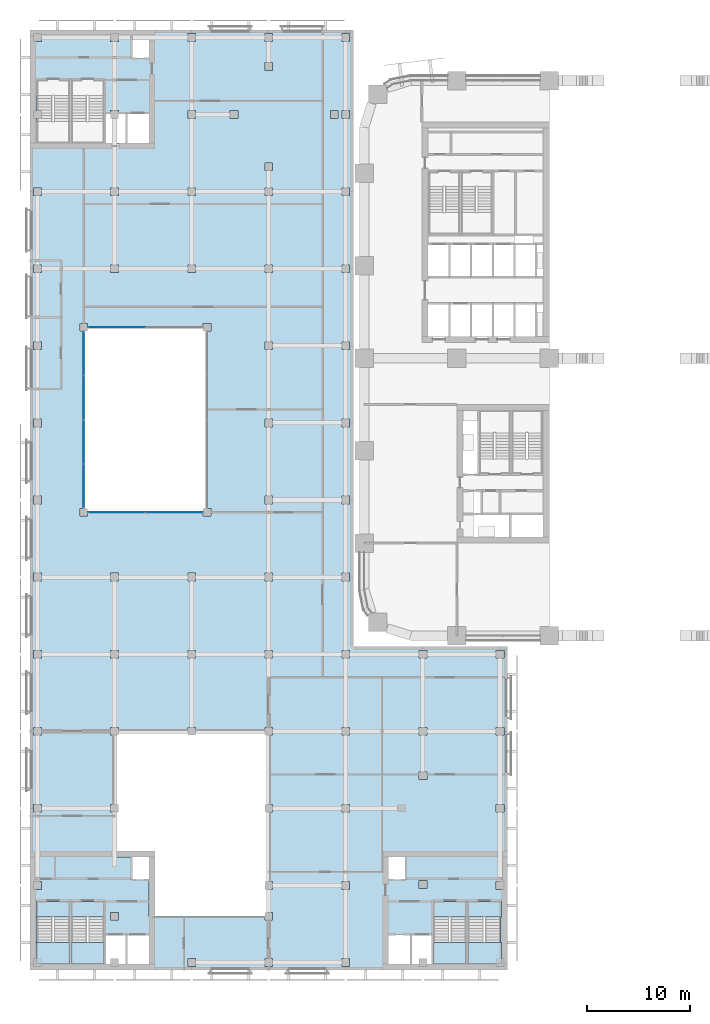
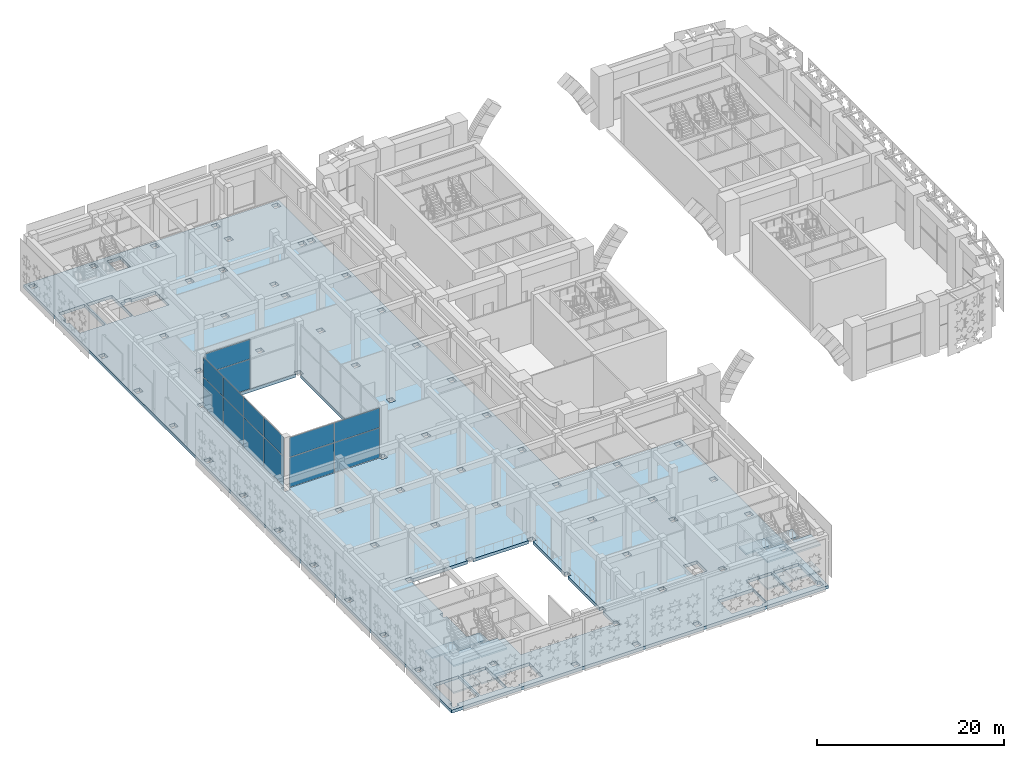
# One storey, part 10 of 42: 14 plates, 13 slabs, 7 elements without a shape of their own.
"""IFC4 building model written with IfcOpenShell, lengths in metres."""

from ifc_helpers import new_model, si_unit, direction, frame, origin, origin_2d, place, context, subcontext, project, spatial, polyline, rectangle, outline, extrude, material, layer, layer_set, type_object, element, aggregate, save


model = new_model("IFC4")

# Units and contexts
model_context = context("Model", 3, precision=1e-05, world=origin(), true_north=direction((0.0, 1.0)))
body_context = subcontext(model_context, "Body", "Model", "MODEL_VIEW")
ifc_project = project(units=[si_unit("LENGTHUNIT", "METRE"), si_unit("AREAUNIT", "SQUARE_METRE"), si_unit("VOLUMEUNIT", "CUBIC_METRE"), si_unit("PLANEANGLEUNIT", "RADIAN"), si_unit("MASSUNIT", "GRAM", prefix="KILO")], contexts=[model_context])

# Site, building, storey
site_placement = place(None, origin())
site = spatial("IfcSite", under=ifc_project, at=site_placement, CompositionType="ELEMENT")
building_placement = place(site_placement, origin())
building = spatial("IfcBuilding", under=site, at=building_placement, Name="Tessera Arch", CompositionType="ELEMENT")
storey_placement = place(building_placement, frame((0.0, 0.0, 14.0)))
storey = spatial("IfcBuildingStorey", under=building, at=storey_placement, Name="L02", CompositionType="ELEMENT", Elevation=14.0)

# Curtain wall, plates
ifc_material_1 = material(Name="Aluminium and clear glass", Category="aluminium")
ifc_layer_1 = layer(ifc_material_1, 0.1201171875)
ifc_layer_set_1 = layer_set([ifc_layer_1], Name="Courtyard curtain wall")
curtain_wall_type = type_object("IfcCurtainWallType", Name="Courtyard curtain wall", PredefinedType="NOTDEFINED", material=ifc_layer_set_1)
curtain_wall_1_placement = place(storey_placement, origin())
curtain_wall_1 = element("IfcCurtainWall", 1, at=curtain_wall_1_placement, inside=storey, type_object=curtain_wall_type, Name="Courtyard curtain wall L02 1", PredefinedType="NOTDEFINED")
ifc_material_2 = material(Name="Clear low-e laminated glass", Category="glass")
ifc_layer_2 = layer(ifc_material_2, 0.028076171875)
ifc_layer_set_2 = layer_set([ifc_layer_2], Name="Courtyard glass panel")
plate_type = type_object("IfcPlateType", Name="Courtyard glass panel", PredefinedType="CURTAIN_PANEL", material=ifc_layer_set_2)
plate_1_placement = place(storey_placement, frame((-24.097412109375, 12.0, 0.06005859375), z_axis=(0.0, 0.0, 1.0), x_axis=(1.0, 0.0, 0.0)))
plate_1 = element("IfcPlate", 2, at=plate_1_placement, type_object=plate_type, Name="MCW1 panel 1.1", PredefinedType="CURTAIN_PANEL", context=body_context, shape_type="SweptSolid", body=[
    extrude(rectangle(XDim=5.534912109375, YDim=0.028076171875, at=origin_2d()), origin(), (0.0, 0.0, 1.0), 3.864013671875),
])
plate_2_placement = place(storey_placement, frame((-24.097412109375, 12.0, 3.984130859375), z_axis=(0.0, 0.0, 1.0), x_axis=(1.0, 0.0, 0.0)))
plate_2 = element("IfcPlate", 3, at=plate_2_placement, type_object=plate_type, Name="MCW1 panel 1.2", PredefinedType="CURTAIN_PANEL", context=body_context, shape_type="SweptSolid", body=[
    extrude(rectangle(XDim=5.534912109375, YDim=0.028076171875, at=origin_2d()), origin(), (0.0, 0.0, 1.0), 2.5458984375),
])
plate_3_placement = place(storey_placement, frame((-18.50244140625, 12.0, 0.06005859375), z_axis=(0.0, 0.0, 1.0), x_axis=(1.0, 0.0, 0.0)))
plate_3 = element("IfcPlate", 4, at=plate_3_placement, type_object=plate_type, Name="MCW1 panel 2.1", PredefinedType="CURTAIN_PANEL", context=body_context, shape_type="SweptSolid", body=[
    extrude(rectangle(XDim=5.534912109375, YDim=0.028076171875, at=origin_2d()), origin(), (0.0, 0.0, 1.0), 3.864013671875),
])
plate_4_placement = place(storey_placement, frame((-18.50244140625, 12.0, 3.984130859375), z_axis=(0.0, 0.0, 1.0), x_axis=(1.0, 0.0, 0.0)))
plate_4 = element("IfcPlate", 5, at=plate_4_placement, type_object=plate_type, Name="MCW1 panel 2.2", PredefinedType="CURTAIN_PANEL", context=body_context, shape_type="SweptSolid", body=[
    extrude(rectangle(XDim=5.534912109375, YDim=0.028076171875, at=origin_2d()), origin(), (0.0, 0.0, 1.0), 2.5458984375),
])
aggregate(curtain_wall_1, [plate_1, plate_2, plate_3, plate_4])

curtain_wall_2_placement = place(storey_placement, origin())
curtain_wall_2 = element("IfcCurtainWall", 6, at=curtain_wall_2_placement, inside=storey, type_object=curtain_wall_type, Name="Courtyard curtain wall L02 3", PredefinedType="NOTDEFINED")
plate_5_placement = place(storey_placement, frame((-24.097412109375, 30.0, 0.06005859375), z_axis=(0.0, 0.0, 1.0), x_axis=(-1.0, 0.0, 0.0)))
plate_5 = element("IfcPlate", 7, at=plate_5_placement, type_object=plate_type, Name="MCW1 panel 2.1", PredefinedType="CURTAIN_PANEL", context=body_context, shape_type="SweptSolid", body=[
    extrude(rectangle(XDim=5.534912109375, YDim=0.028076171875, at=origin_2d()), origin(), (0.0, 0.0, 1.0), 3.864013671875),
])
plate_6_placement = place(storey_placement, frame((-24.097412109375, 30.0, 3.984130859375), z_axis=(0.0, 0.0, 1.0), x_axis=(-1.0, 0.0, 0.0)))
plate_6 = element("IfcPlate", 8, at=plate_6_placement, type_object=plate_type, Name="MCW1 panel 2.2", PredefinedType="CURTAIN_PANEL", context=body_context, shape_type="SweptSolid", body=[
    extrude(rectangle(XDim=5.534912109375, YDim=0.028076171875, at=origin_2d()), origin(), (0.0, 0.0, 1.0), 2.5458984375),
])
aggregate(curtain_wall_2, [plate_5, plate_6])

curtain_wall_3_placement = place(storey_placement, origin())
curtain_wall_3 = element("IfcCurtainWall", 9, at=curtain_wall_3_placement, inside=storey, type_object=curtain_wall_type, Name="Courtyard curtain wall L02 4", PredefinedType="NOTDEFINED")
plate_7_placement = place(storey_placement, frame((-27.300048828125, 27.453857421875, 0.06005859375), z_axis=(0.0, 0.0, 1.0), x_axis=(0.0, -1.0, 0.0)))
plate_7 = element("IfcPlate", 10, at=plate_7_placement, type_object=plate_type, Name="MCW1 panel 1.1", PredefinedType="CURTAIN_PANEL", context=body_context, shape_type="SweptSolid", body=[
    extrude(rectangle(XDim=4.222412109375, YDim=0.028076171875, at=origin_2d()), origin(), (0.0, 0.0, 1.0), 3.864013671875),
])
plate_8_placement = place(storey_placement, frame((-27.300048828125, 27.453857421875, 3.984130859375), z_axis=(0.0, 0.0, 1.0), x_axis=(0.0, -1.0, 0.0)))
plate_8 = element("IfcPlate", 11, at=plate_8_placement, type_object=plate_type, Name="MCW1 panel 1.2", PredefinedType="CURTAIN_PANEL", context=body_context, shape_type="SweptSolid", body=[
    extrude(rectangle(XDim=4.222412109375, YDim=0.028076171875, at=origin_2d()), origin(), (0.0, 0.0, 1.0), 2.5458984375),
])
plate_9_placement = place(storey_placement, frame((-27.300048828125, 23.15625, 0.06005859375), z_axis=(0.0, 0.0, 1.0), x_axis=(0.0, -1.0, 0.0)))
plate_9 = element("IfcPlate", 12, at=plate_9_placement, type_object=plate_type, Name="MCW1 panel 2.1", PredefinedType="CURTAIN_PANEL", context=body_context, shape_type="SweptSolid", body=[
    extrude(rectangle(XDim=4.25244140625, YDim=0.028076171875, at=origin_2d()), origin(), (0.0, 0.0, 1.0), 3.864013671875),
])
plate_10_placement = place(storey_placement, frame((-27.300048828125, 23.15625, 3.984130859375), z_axis=(0.0, 0.0, 1.0), x_axis=(0.0, -1.0, 0.0)))
plate_10 = element("IfcPlate", 13, at=plate_10_placement, type_object=plate_type, Name="MCW1 panel 2.2", PredefinedType="CURTAIN_PANEL", context=body_context, shape_type="SweptSolid", body=[
    extrude(rectangle(XDim=4.25244140625, YDim=0.028076171875, at=origin_2d()), origin(), (0.0, 0.0, 1.0), 2.5458984375),
])
plate_11_placement = place(storey_placement, frame((-27.300048828125, 18.84375, 0.06005859375), z_axis=(0.0, 0.0, 1.0), x_axis=(0.0, -1.0, 0.0)))
plate_11 = element("IfcPlate", 14, at=plate_11_placement, type_object=plate_type, Name="MCW1 panel 3.1", PredefinedType="CURTAIN_PANEL", context=body_context, shape_type="SweptSolid", body=[
    extrude(rectangle(XDim=4.25244140625, YDim=0.028076171875, at=origin_2d()), origin(), (0.0, 0.0, 1.0), 3.864013671875),
])
plate_12_placement = place(storey_placement, frame((-27.300048828125, 18.84375, 3.984130859375), z_axis=(0.0, 0.0, 1.0), x_axis=(0.0, -1.0, 0.0)))
plate_12 = element("IfcPlate", 15, at=plate_12_placement, type_object=plate_type, Name="MCW1 panel 3.2", PredefinedType="CURTAIN_PANEL", context=body_context, shape_type="SweptSolid", body=[
    extrude(rectangle(XDim=4.25244140625, YDim=0.028076171875, at=origin_2d()), origin(), (0.0, 0.0, 1.0), 2.5458984375),
])
plate_13_placement = place(storey_placement, frame((-27.300048828125, 14.546142578125, 0.06005859375), z_axis=(0.0, 0.0, 1.0), x_axis=(0.0, -1.0, 0.0)))
plate_13 = element("IfcPlate", 16, at=plate_13_placement, type_object=plate_type, Name="MCW1 panel 4.1", PredefinedType="CURTAIN_PANEL", context=body_context, shape_type="SweptSolid", body=[
    extrude(rectangle(XDim=4.222412109375, YDim=0.028076171875, at=origin_2d()), origin(), (0.0, 0.0, 1.0), 3.864013671875),
])
plate_14_placement = place(storey_placement, frame((-27.300048828125, 14.546142578125, 3.984130859375), z_axis=(0.0, 0.0, 1.0), x_axis=(0.0, -1.0, 0.0)))
plate_14 = element("IfcPlate", 17, at=plate_14_placement, type_object=plate_type, Name="MCW1 panel 4.2", PredefinedType="CURTAIN_PANEL", context=body_context, shape_type="SweptSolid", body=[
    extrude(rectangle(XDim=4.222412109375, YDim=0.028076171875, at=origin_2d()), origin(), (0.0, 0.0, 1.0), 2.5458984375),
])
aggregate(curtain_wall_3, [plate_7, plate_8, plate_9, plate_10, plate_11, plate_12, plate_13, plate_14])

# Slab
ifc_material_3 = material(Name="Concrete C40/50", Category="concrete")
ifc_layer_3 = layer(ifc_material_3, 0.409912109375)
ifc_layer_set_3 = layer_set([ifc_layer_3], Name="Museum floor slab 410 Concrete C40/50")
slab_type_1 = type_object("IfcSlabType", Name="Museum floor slab 410 Concrete C40/50", PredefinedType="FLOOR", material=ifc_layer_set_3)
slab_1_placement = place(storey_placement, frame((0.0, 0.0, -0.409912109375)))
element("IfcSlab", 18, at=slab_1_placement, inside=storey, type_object=slab_type_1, Name="Museum floor slab L02 1", PredefinedType="FLOOR", context=body_context, shape_type="SweptSolid", body=[
    extrude(outline(polyline([(13.949951171875, -32.550048828125), (-32.550048828125, -32.550048828125), (-32.550048828125, 58.949951171875), (-1.050048828125, 58.949951171875), (-1.050048828125, -1.050048828125), (13.949951171875, -1.050048828125), (13.949951171875, -32.550048828125)]), holes=[polyline([(-15.675048828125, 11.625), (-14.925048828125, 11.625), (-14.925048828125, 12.375), (-15.300048828125, 12.375), (-15.300048828125, 29.625), (-14.925048828125, 29.625), (-14.925048828125, 30.375), (-15.675048828125, 30.375), (-15.675048828125, 30.0), (-26.925048828125, 30.0), (-26.925048828125, 30.375), (-27.675048828125, 30.375), (-27.675048828125, 29.625), (-27.300048828125, 29.625), (-27.300048828125, 12.375), (-27.675048828125, 12.375), (-27.675048828125, 11.625), (-26.925048828125, 11.625), (-26.925048828125, 12.0), (-15.675048828125, 12.0), (-15.675048828125, 11.625)]), polyline([(-24.675048828125, -16.425048828125), (-24.675048828125, -17.175048828125), (-24.300048828125, -17.175048828125), (-24.300048828125, -21.550048828125), (-22.64990234375, -21.550048828125), (-22.64990234375, -23.75), (-20.949951171875, -23.75), (-20.949951171875, -27.300048828125), (-9.675048828125, -27.300048828125), (-9.675048828125, -27.675048828125), (-8.925048828125, -27.675048828125), (-8.925048828125, -26.925048828125), (-9.300048828125, -26.925048828125), (-9.300048828125, -24.675048828125), (-8.925048828125, -24.675048828125), (-8.925048828125, -23.925048828125), (-9.300048828125, -23.925048828125), (-9.300048828125, -17.175048828125), (-8.925048828125, -17.175048828125), (-8.925048828125, -16.425048828125), (-9.300048828125, -16.425048828125), (-9.300048828125, -9.675048828125), (-8.925048828125, -9.675048828125), (-8.925048828125, -8.925048828125), (-9.675048828125, -8.925048828125), (-9.675048828125, -9.300048828125), (-16.425048828125, -9.300048828125), (-16.425048828125, -8.925048828125), (-17.175048828125, -8.925048828125), (-17.175048828125, -9.300048828125), (-23.925048828125, -9.300048828125), (-23.925048828125, -8.925048828125), (-24.675048828125, -8.925048828125), (-24.675048828125, -9.675048828125), (-24.300048828125, -9.675048828125), (-24.300048828125, -16.425048828125), (-24.675048828125, -16.425048828125)]), polyline([(-31.425048828125, -32.175048828125), (-31.425048828125, -31.75), (-28.699951171875, -31.75), (-28.699951171875, -27.360107421875), (-30.199951171875, -27.360107421875), (-30.199951171875, -27.35009765625), (-30.35009765625, -27.35009765625), (-30.35009765625, -27.360107421875), (-31.85009765625, -27.360107421875), (-31.85009765625, -31.425048828125), (-32.175048828125, -31.425048828125), (-32.175048828125, -32.175048828125), (-31.425048828125, -32.175048828125)]), polyline([(-23.925048828125, -32.175048828125), (-23.925048828125, -31.949951171875), (-23.14990234375, -31.949951171875), (-20.949951171875, -31.949951171875), (-20.949951171875, -29.050048828125), (-23.14990234375, -29.050048828125), (-25.25, -29.050048828125), (-25.25, -31.949951171875), (-24.675048828125, -31.949951171875), (-24.675048828125, -32.175048828125), (-23.925048828125, -32.175048828125)]), polyline([(-23.925048828125, -27.675048828125), (-23.925048828125, -26.925048828125), (-24.675048828125, -26.925048828125), (-24.675048828125, -27.675048828125), (-23.925048828125, -27.675048828125)]), polyline([(-31.425048828125, -24.675048828125), (-31.425048828125, -23.925048828125), (-32.175048828125, -23.925048828125), (-32.175048828125, -24.675048828125), (-31.425048828125, -24.675048828125)]), polyline([(-31.425048828125, -17.175048828125), (-31.425048828125, -16.425048828125), (-32.175048828125, -16.425048828125), (-32.175048828125, -17.175048828125), (-31.425048828125, -17.175048828125)]), polyline([(-31.425048828125, -9.675048828125), (-31.425048828125, -8.925048828125), (-32.175048828125, -8.925048828125), (-32.175048828125, -9.675048828125), (-31.425048828125, -9.675048828125)]), polyline([(-32.175048828125, -2.175048828125), (-31.425048828125, -2.175048828125), (-31.425048828125, -1.425048828125), (-32.175048828125, -1.425048828125), (-32.175048828125, -2.175048828125)]), polyline([(-23.925048828125, -2.175048828125), (-23.925048828125, -1.425048828125), (-24.675048828125, -1.425048828125), (-24.675048828125, -2.175048828125), (-23.925048828125, -2.175048828125)]), polyline([(-31.425048828125, 5.324951171875), (-31.425048828125, 6.074951171875), (-32.175048828125, 6.074951171875), (-32.175048828125, 5.324951171875), (-31.425048828125, 5.324951171875)]), polyline([(-23.925048828125, 5.324951171875), (-23.925048828125, 6.074951171875), (-24.675048828125, 6.074951171875), (-24.675048828125, 5.324951171875), (-23.925048828125, 5.324951171875)]), polyline([(-31.425048828125, 12.824951171875), (-31.425048828125, 13.574951171875), (-32.175048828125, 13.574951171875), (-32.175048828125, 12.824951171875), (-31.425048828125, 12.824951171875)]), polyline([(-31.425048828125, 20.324951171875), (-31.425048828125, 21.074951171875), (-32.175048828125, 21.074951171875), (-32.175048828125, 20.324951171875), (-31.425048828125, 20.324951171875)]), polyline([(-31.425048828125, 27.824951171875), (-31.425048828125, 28.574951171875), (-32.175048828125, 28.574951171875), (-32.175048828125, 27.824951171875), (-31.425048828125, 27.824951171875)]), polyline([(-24.675048828125, 35.324951171875), (-23.925048828125, 35.324951171875), (-23.925048828125, 36.074951171875), (-24.675048828125, 36.074951171875), (-24.675048828125, 35.324951171875)]), polyline([(-31.425048828125, 35.324951171875), (-31.425048828125, 36.074951171875), (-32.175048828125, 36.074951171875), (-32.175048828125, 35.324951171875), (-31.425048828125, 35.324951171875)]), polyline([(-23.925048828125, 42.824951171875), (-23.925048828125, 43.574951171875), (-24.675048828125, 43.574951171875), (-24.675048828125, 42.824951171875), (-23.925048828125, 42.824951171875)]), polyline([(-31.425048828125, 42.824951171875), (-31.425048828125, 43.574951171875), (-32.175048828125, 43.574951171875), (-32.175048828125, 42.824951171875), (-31.425048828125, 42.824951171875)]), polyline([(-31.85009765625, 50.324951171875), (-31.85009765625, 48.14990234375), (-28.699951171875, 48.14990234375), (-28.699951171875, 52.5400390625), (-30.199951171875, 52.5400390625), (-30.199951171875, 52.550048828125), (-30.35009765625, 52.550048828125), (-30.35009765625, 52.5400390625), (-31.85009765625, 52.5400390625), (-31.85009765625, 51.074951171875), (-32.175048828125, 51.074951171875), (-32.175048828125, 50.324951171875), (-31.85009765625, 50.324951171875)]), polyline([(-23.925048828125, 51.074951171875), (-24.675048828125, 51.074951171875), (-24.675048828125, 50.85009765625), (-25.25, 50.85009765625), (-25.25, 47.949951171875), (-23.14990234375, 47.949951171875), (-20.949951171875, 47.949951171875), (-20.949951171875, 50.85009765625), (-23.14990234375, 50.85009765625), (-23.925048828125, 50.85009765625), (-23.925048828125, 51.074951171875)]), polyline([(-23.925048828125, 57.824951171875), (-23.925048828125, 58.574951171875), (-24.675048828125, 58.574951171875), (-24.675048828125, 57.824951171875), (-23.925048828125, 57.824951171875)]), polyline([(-31.425048828125, 57.824951171875), (-31.425048828125, 58.574951171875), (-32.175048828125, 58.574951171875), (-32.175048828125, 57.824951171875), (-31.425048828125, 57.824951171875)]), polyline([(-17.175048828125, -32.175048828125), (-16.425048828125, -32.175048828125), (-16.425048828125, -31.425048828125), (-17.175048828125, -31.425048828125), (-17.175048828125, -32.175048828125)]), polyline([(-9.675048828125, -32.175048828125), (-8.925048828125, -32.175048828125), (-8.925048828125, -31.425048828125), (-9.675048828125, -31.425048828125), (-9.675048828125, -32.175048828125)]), polyline([(-8.925048828125, -2.175048828125), (-8.925048828125, -1.425048828125), (-9.675048828125, -1.425048828125), (-9.675048828125, -2.175048828125), (-8.925048828125, -2.175048828125)]), polyline([(-16.425048828125, -2.175048828125), (-16.425048828125, -1.425048828125), (-17.175048828125, -1.425048828125), (-17.175048828125, -2.175048828125), (-16.425048828125, -2.175048828125)]), polyline([(-8.925048828125, 5.324951171875), (-8.925048828125, 6.074951171875), (-9.675048828125, 6.074951171875), (-9.675048828125, 5.324951171875), (-8.925048828125, 5.324951171875)]), polyline([(-17.175048828125, 5.324951171875), (-16.425048828125, 5.324951171875), (-16.425048828125, 6.074951171875), (-17.175048828125, 6.074951171875), (-17.175048828125, 5.324951171875)]), polyline([(-8.925048828125, 12.824951171875), (-8.925048828125, 13.574951171875), (-9.675048828125, 13.574951171875), (-9.675048828125, 12.824951171875), (-8.925048828125, 12.824951171875)]), polyline([(-8.925048828125, 20.324951171875), (-8.925048828125, 21.074951171875), (-9.675048828125, 21.074951171875), (-9.675048828125, 20.324951171875), (-8.925048828125, 20.324951171875)]), polyline([(-8.925048828125, 27.824951171875), (-8.925048828125, 28.574951171875), (-9.675048828125, 28.574951171875), (-9.675048828125, 27.824951171875), (-8.925048828125, 27.824951171875)]), polyline([(-16.425048828125, 35.324951171875), (-16.425048828125, 36.074951171875), (-17.175048828125, 36.074951171875), (-17.175048828125, 35.324951171875), (-16.425048828125, 35.324951171875)]), polyline([(-8.925048828125, 42.824951171875), (-8.925048828125, 43.574951171875), (-9.675048828125, 43.574951171875), (-9.675048828125, 42.824951171875), (-8.925048828125, 42.824951171875)]), polyline([(-16.425048828125, 42.824951171875), (-16.425048828125, 43.574951171875), (-17.175048828125, 43.574951171875), (-17.175048828125, 42.824951171875), (-16.425048828125, 42.824951171875)]), polyline([(-9.675048828125, 45.25), (-8.925048828125, 45.25), (-8.925048828125, 46.0), (-9.675048828125, 46.0), (-9.675048828125, 45.25)]), polyline([(-17.175048828125, 50.324951171875), (-16.425048828125, 50.324951171875), (-16.425048828125, 51.074951171875), (-17.175048828125, 51.074951171875), (-17.175048828125, 50.324951171875)]), polyline([(-12.300048828125, 50.324951171875), (-12.300048828125, 51.074951171875), (-13.050048828125, 51.074951171875), (-13.050048828125, 50.324951171875), (-12.300048828125, 50.324951171875)]), polyline([(-8.925048828125, 55.0), (-8.925048828125, 55.75), (-9.675048828125, 55.75), (-9.675048828125, 55.0), (-8.925048828125, 55.0)]), polyline([(-8.925048828125, 57.824951171875), (-8.925048828125, 58.574951171875), (-9.675048828125, 58.574951171875), (-9.675048828125, 57.824951171875), (-8.925048828125, 57.824951171875)]), polyline([(-17.175048828125, 57.824951171875), (-16.425048828125, 57.824951171875), (-16.425048828125, 58.574951171875), (-17.175048828125, 58.574951171875), (-17.175048828125, 57.824951171875)]), polyline([(-2.175048828125, -32.175048828125), (-1.425048828125, -32.175048828125), (-1.425048828125, -31.425048828125), (-2.175048828125, -31.425048828125), (-2.175048828125, -32.175048828125)]), polyline([(6.074951171875, -32.175048828125), (6.074951171875, -31.949951171875), (6.64990234375, -31.949951171875), (6.64990234375, -29.050048828125), (4.550048828125, -29.050048828125), (2.35009765625, -29.050048828125), (2.35009765625, -31.949951171875), (4.550048828125, -31.949951171875), (5.324951171875, -31.949951171875), (5.324951171875, -32.175048828125), (6.074951171875, -32.175048828125)]), polyline([(13.574951171875, -32.175048828125), (13.574951171875, -31.425048828125), (13.25, -31.425048828125), (13.25, -27.360107421875), (11.75, -27.360107421875), (11.75, -27.35009765625), (11.60009765625, -27.35009765625), (11.60009765625, -27.360107421875), (10.10009765625, -27.360107421875), (10.10009765625, -31.75), (12.824951171875, -31.75), (12.824951171875, -32.175048828125), (13.574951171875, -32.175048828125)]), polyline([(13.574951171875, -24.675048828125), (13.574951171875, -23.925048828125), (12.824951171875, -23.925048828125), (12.824951171875, -24.675048828125), (13.574951171875, -24.675048828125)]), polyline([(-2.175048828125, -24.675048828125), (-1.425048828125, -24.675048828125), (-1.425048828125, -23.925048828125), (-2.175048828125, -23.925048828125), (-2.175048828125, -24.675048828125)]), polyline([(5.324951171875, -24.574951171875), (6.074951171875, -24.574951171875), (6.074951171875, -23.824951171875), (5.324951171875, -23.824951171875), (5.324951171875, -24.574951171875)]), polyline([(-1.425048828125, -17.175048828125), (-1.425048828125, -16.425048828125), (-2.175048828125, -16.425048828125), (-2.175048828125, -17.175048828125), (-1.425048828125, -17.175048828125)]), polyline([(13.574951171875, -17.175048828125), (13.574951171875, -16.425048828125), (12.824951171875, -16.425048828125), (12.824951171875, -17.175048828125), (13.574951171875, -17.175048828125)]), polyline([(6.074951171875, -14.0), (6.074951171875, -13.25), (5.324951171875, -13.25), (5.324951171875, -14.0), (6.074951171875, -14.0)]), polyline([(13.574951171875, -9.675048828125), (13.574951171875, -8.925048828125), (12.824951171875, -8.925048828125), (12.824951171875, -9.675048828125), (13.574951171875, -9.675048828125)]), polyline([(-1.425048828125, -9.675048828125), (-1.425048828125, -8.925048828125), (-2.175048828125, -8.925048828125), (-2.175048828125, -9.675048828125), (-1.425048828125, -9.675048828125)]), polyline([(6.074951171875, -9.675048828125), (6.074951171875, -8.925048828125), (5.324951171875, -8.925048828125), (5.324951171875, -9.675048828125), (6.074951171875, -9.675048828125)]), polyline([(13.574951171875, -2.175048828125), (13.574951171875, -1.425048828125), (12.824951171875, -1.425048828125), (12.824951171875, -2.175048828125), (13.574951171875, -2.175048828125)]), polyline([(-2.175048828125, -2.175048828125), (-1.425048828125, -2.175048828125), (-1.425048828125, -1.425048828125), (-2.175048828125, -1.425048828125), (-2.175048828125, -2.175048828125)]), polyline([(5.324951171875, -2.175048828125), (6.074951171875, -2.175048828125), (6.074951171875, -1.425048828125), (5.324951171875, -1.425048828125), (5.324951171875, -2.175048828125)]), polyline([(-1.425048828125, 5.324951171875), (-1.425048828125, 6.074951171875), (-2.175048828125, 6.074951171875), (-2.175048828125, 5.324951171875), (-1.425048828125, 5.324951171875)]), polyline([(-1.425048828125, 12.824951171875), (-1.425048828125, 13.574951171875), (-2.175048828125, 13.574951171875), (-2.175048828125, 12.824951171875), (-1.425048828125, 12.824951171875)]), polyline([(-1.425048828125, 20.324951171875), (-1.425048828125, 21.074951171875), (-2.175048828125, 21.074951171875), (-2.175048828125, 20.324951171875), (-1.425048828125, 20.324951171875)]), polyline([(-2.175048828125, 27.824951171875), (-1.425048828125, 27.824951171875), (-1.425048828125, 28.574951171875), (-2.175048828125, 28.574951171875), (-2.175048828125, 27.824951171875)]), polyline([(-2.175048828125, 35.324951171875), (-1.425048828125, 35.324951171875), (-1.425048828125, 36.074951171875), (-2.175048828125, 36.074951171875), (-2.175048828125, 35.324951171875)]), polyline([(-8.925048828125, 35.324951171875), (-8.925048828125, 36.074951171875), (-9.675048828125, 36.074951171875), (-9.675048828125, 35.324951171875), (-8.925048828125, 35.324951171875)]), polyline([(-1.425048828125, 42.824951171875), (-1.425048828125, 43.574951171875), (-2.175048828125, 43.574951171875), (-2.175048828125, 42.824951171875), (-1.425048828125, 42.824951171875)]), polyline([(-1.425048828125, 50.324951171875), (-1.425048828125, 51.074951171875), (-2.175048828125, 51.074951171875), (-2.175048828125, 50.324951171875), (-1.425048828125, 50.324951171875)]), polyline([(-3.300048828125, 50.324951171875), (-2.550048828125, 50.324951171875), (-2.550048828125, 51.074951171875), (-3.300048828125, 51.074951171875), (-3.300048828125, 50.324951171875)]), polyline([(-2.175048828125, 57.824951171875), (-1.425048828125, 57.824951171875), (-1.425048828125, 58.574951171875), (-2.175048828125, 58.574951171875), (-2.175048828125, 57.824951171875)]), polyline([(-27.0, -27.360107421875), (-28.5, -27.360107421875), (-28.5, -31.75), (-25.35009765625, -31.75), (-25.35009765625, -27.360107421875), (-26.85009765625, -27.360107421875), (-26.85009765625, -27.35009765625), (-27.0, -27.35009765625), (-27.0, -27.360107421875)]), polyline([(-27.0, 52.5400390625), (-28.5, 52.5400390625), (-28.5, 48.14990234375), (-25.35009765625, 48.14990234375), (-25.35009765625, 52.5400390625), (-26.85009765625, 52.5400390625), (-26.85009765625, 52.550048828125), (-27.0, 52.550048828125), (-27.0, 52.5400390625)]), polyline([(8.25, -27.360107421875), (6.75, -27.360107421875), (6.75, -31.75), (9.89990234375, -31.75), (9.89990234375, -27.360107421875), (8.39990234375, -27.360107421875), (8.39990234375, -27.35009765625), (8.25, -27.35009765625), (8.25, -27.360107421875)]), polyline([(4.050048828125, -23.75), (4.050048828125, -21.550048828125), (2.35009765625, -21.550048828125), (2.35009765625, -23.75), (4.050048828125, -23.75)]), polyline([(-20.949951171875, 56.14990234375), (-20.949951171875, 58.35009765625), (-22.64990234375, 58.35009765625), (-22.64990234375, 56.14990234375), (-20.949951171875, 56.14990234375)])]), origin(), (0.0, 0.0, 1.0), 0.409912109375),
])

# Stair, slabs
ifc_material_4 = material(Name="Concrete C40/50", Category="concrete")
stair_type = type_object("IfcStairType", Name="Dogleg stair 1500", PredefinedType="HALF_TURN_STAIR", material=ifc_material_4)
stair_1_placement = place(storey_placement, origin())
stair_1 = element("IfcStair", 19, at=stair_1_placement, inside=storey, type_object=stair_type, Name="L02 M2a", PredefinedType="HALF_TURN_STAIR")
ifc_material_5 = material(Name="Concrete C40/50", Category="concrete")
ifc_layer_4 = layer(ifc_material_5, 0.300048828125)
ifc_layer_set_4 = layer_set([ifc_layer_4], Name="Stair landing 300")
slab_type_2 = type_object("IfcSlabType", Name="Stair landing 300", PredefinedType="LANDING", material=ifc_layer_set_4)
slab_2_placement = place(storey_placement, frame((0.0, 0.0, 1.550048828125)))
slab_2 = element("IfcSlab", 20, at=slab_2_placement, type_object=slab_type_2, Name="M2a landing 1", PredefinedType="LANDING", context=body_context, shape_type="SweptSolid", body=[
    extrude(outline(polyline([(-31.949951171875, -29.8701171875), (-31.949951171875, -31.949951171875), (-28.699951171875, -31.949951171875), (-28.699951171875, -29.8701171875), (-31.949951171875, -29.8701171875)])), origin(), (0.0, 0.0, 1.0), 0.199951171875),
])
slab_3_placement = place(storey_placement, frame((0.0, 0.0, 3.300048828125)))
slab_3 = element("IfcSlab", 21, at=slab_3_placement, type_object=slab_type_2, Name="M2a landing 2", PredefinedType="LANDING", context=body_context, shape_type="SweptSolid", body=[
    extrude(outline(polyline([(-31.949951171875, -25.85009765625), (-31.949951171875, -27.35009765625), (-28.699951171875, -27.35009765625), (-28.699951171875, -25.85009765625), (-31.949951171875, -25.85009765625)])), origin(), (0.0, 0.0, 1.0), 0.199951171875),
])
slab_4_placement = place(storey_placement, frame((0.0, 0.0, 5.050048828125)))
slab_4 = element("IfcSlab", 22, at=slab_4_placement, type_object=slab_type_2, Name="M2a landing 3", PredefinedType="LANDING", context=body_context, shape_type="SweptSolid", body=[
    extrude(outline(polyline([(-31.949951171875, -29.8701171875), (-31.949951171875, -31.949951171875), (-28.699951171875, -31.949951171875), (-28.699951171875, -29.8701171875), (-31.949951171875, -29.8701171875)])), origin(), (0.0, 0.0, 1.0), 0.199951171875),
])
aggregate(stair_1, [slab_2, slab_3, slab_4])

stair_2_placement = place(storey_placement, origin())
stair_2 = element("IfcStair", 23, at=stair_2_placement, inside=storey, type_object=stair_type, Name="L02 M2b", PredefinedType="HALF_TURN_STAIR")
slab_5_placement = place(storey_placement, frame((0.0, 0.0, 1.550048828125)))
slab_5 = element("IfcSlab", 24, at=slab_5_placement, type_object=slab_type_2, Name="M2b landing 1", PredefinedType="LANDING", context=body_context, shape_type="SweptSolid", body=[
    extrude(outline(polyline([(-28.5, -29.8701171875), (-28.5, -31.949951171875), (-25.35009765625, -31.949951171875), (-25.35009765625, -29.8701171875), (-28.5, -29.8701171875)])), origin(), (0.0, 0.0, 1.0), 0.199951171875),
])
slab_6_placement = place(storey_placement, frame((0.0, 0.0, 3.300048828125)))
slab_6 = element("IfcSlab", 25, at=slab_6_placement, type_object=slab_type_2, Name="M2b landing 2", PredefinedType="LANDING", context=body_context, shape_type="SweptSolid", body=[
    extrude(outline(polyline([(-28.5, -25.85009765625), (-28.5, -27.35009765625), (-25.35009765625, -27.35009765625), (-25.35009765625, -25.85009765625), (-28.5, -25.85009765625)])), origin(), (0.0, 0.0, 1.0), 0.199951171875),
])
slab_7_placement = place(storey_placement, frame((0.0, 0.0, 5.050048828125)))
slab_7 = element("IfcSlab", 26, at=slab_7_placement, type_object=slab_type_2, Name="M2b landing 3", PredefinedType="LANDING", context=body_context, shape_type="SweptSolid", body=[
    extrude(outline(polyline([(-28.5, -29.8701171875), (-28.5, -31.949951171875), (-25.35009765625, -31.949951171875), (-25.35009765625, -29.8701171875), (-28.5, -29.8701171875)])), origin(), (0.0, 0.0, 1.0), 0.199951171875),
])
aggregate(stair_2, [slab_5, slab_6, slab_7])

stair_3_placement = place(storey_placement, origin())
stair_3 = element("IfcStair", 27, at=stair_3_placement, inside=storey, type_object=stair_type, Name="L02 M3a", PredefinedType="HALF_TURN_STAIR")
slab_8_placement = place(storey_placement, frame((0.0, 0.0, 1.550048828125)))
slab_8 = element("IfcSlab", 28, at=slab_8_placement, type_object=slab_type_2, Name="M3a landing 1", PredefinedType="LANDING", context=body_context, shape_type="SweptSolid", body=[
    extrude(outline(polyline([(10.10009765625, -29.8701171875), (10.10009765625, -31.949951171875), (13.35009765625, -31.949951171875), (13.35009765625, -29.8701171875), (10.10009765625, -29.8701171875)])), origin(), (0.0, 0.0, 1.0), 0.199951171875),
])
slab_9_placement = place(storey_placement, frame((0.0, 0.0, 3.300048828125)))
slab_9 = element("IfcSlab", 29, at=slab_9_placement, type_object=slab_type_2, Name="M3a landing 2", PredefinedType="LANDING", context=body_context, shape_type="SweptSolid", body=[
    extrude(outline(polyline([(10.10009765625, -25.85009765625), (10.10009765625, -27.35009765625), (13.35009765625, -27.35009765625), (13.35009765625, -25.85009765625), (10.10009765625, -25.85009765625)])), origin(), (0.0, 0.0, 1.0), 0.199951171875),
])
slab_10_placement = place(storey_placement, frame((0.0, 0.0, 5.050048828125)))
slab_10 = element("IfcSlab", 30, at=slab_10_placement, type_object=slab_type_2, Name="M3a landing 3", PredefinedType="LANDING", context=body_context, shape_type="SweptSolid", body=[
    extrude(outline(polyline([(10.10009765625, -29.8701171875), (10.10009765625, -31.949951171875), (13.35009765625, -31.949951171875), (13.35009765625, -29.8701171875), (10.10009765625, -29.8701171875)])), origin(), (0.0, 0.0, 1.0), 0.199951171875),
])
aggregate(stair_3, [slab_8, slab_9, slab_10])

stair_4_placement = place(storey_placement, origin())
stair_4 = element("IfcStair", 31, at=stair_4_placement, inside=storey, type_object=stair_type, Name="L02 M3b", PredefinedType="HALF_TURN_STAIR")
slab_11_placement = place(storey_placement, frame((0.0, 0.0, 1.550048828125)))
slab_11 = element("IfcSlab", 32, at=slab_11_placement, type_object=slab_type_2, Name="M3b landing 1", PredefinedType="LANDING", context=body_context, shape_type="SweptSolid", body=[
    extrude(outline(polyline([(6.75, -29.8701171875), (6.75, -31.949951171875), (9.89990234375, -31.949951171875), (9.89990234375, -29.8701171875), (6.75, -29.8701171875)])), origin(), (0.0, 0.0, 1.0), 0.199951171875),
])
slab_12_placement = place(storey_placement, frame((0.0, 0.0, 3.300048828125)))
slab_12 = element("IfcSlab", 33, at=slab_12_placement, type_object=slab_type_2, Name="M3b landing 2", PredefinedType="LANDING", context=body_context, shape_type="SweptSolid", body=[
    extrude(outline(polyline([(6.75, -25.85009765625), (6.75, -27.35009765625), (9.89990234375, -27.35009765625), (9.89990234375, -25.85009765625), (6.75, -25.85009765625)])), origin(), (0.0, 0.0, 1.0), 0.199951171875),
])
slab_13_placement = place(storey_placement, frame((0.0, 0.0, 5.050048828125)))
slab_13 = element("IfcSlab", 34, at=slab_13_placement, type_object=slab_type_2, Name="M3b landing 3", PredefinedType="LANDING", context=body_context, shape_type="SweptSolid", body=[
    extrude(outline(polyline([(6.75, -29.8701171875), (6.75, -31.949951171875), (9.89990234375, -31.949951171875), (9.89990234375, -29.8701171875), (6.75, -29.8701171875)])), origin(), (0.0, 0.0, 1.0), 0.199951171875),
])
aggregate(stair_4, [slab_11, slab_12, slab_13])

save(model, "model.ifc")
